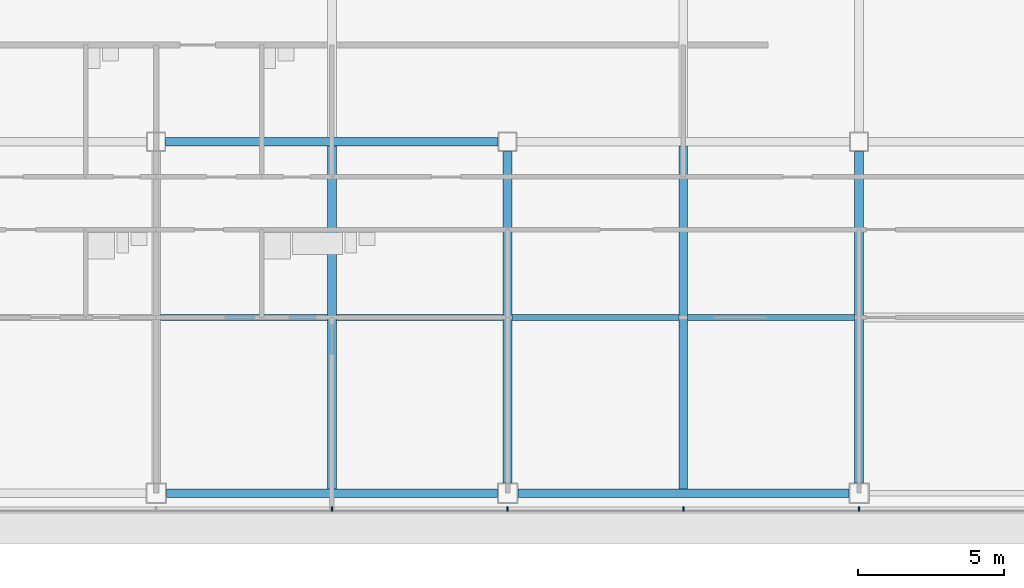
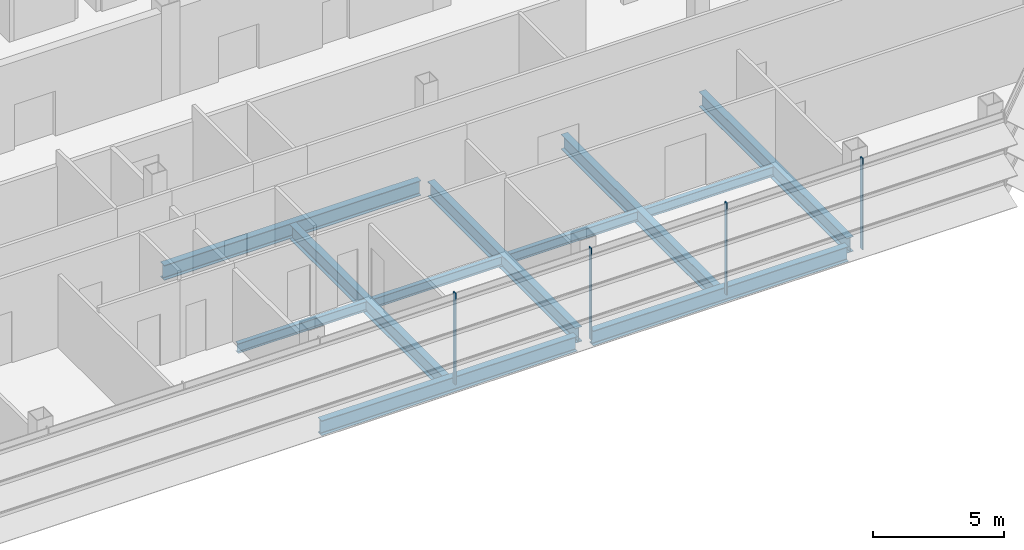
# One storey, part 8 of 26: 11 beams, 4 members, 1 element without a shape of its own.
"""IFC4 building model written with IfcOpenShell, lengths in metres."""

import ifcopenshell
import ifcopenshell.guid

model = None  # the IFC model being written
_history = None  # IfcOwnerHistory: only IFC2X3 demands one
_inside = {}  # id of a spatial element -> (the spatial element, [elements in it])
_under = {}  # id of a project, library or spatial element -> (it, [spatial elements below it])
_declared = {}  # id of a project -> (the project, [libraries it declares])
_typed = {}  # id of a type object -> (the type object, [elements of that type])
_made_of = {}  # id of a material, layer set ... -> (it, [elements and type objects made of it])


def new_model(schema):
    """Start an empty IFC model of exactly this schema.

    Asked for "IFC4X3", IfcOpenShell would pick the latest addendum, in which some entities
    have other attributes; the version numbers below select the first issue.
    IFC2X3 requires an IfcOwnerHistory on every rooted entity: one is made here for all.
    """
    global model, _history
    if schema == "IFC4X3":
        model = ifcopenshell.file(schema_version=(4, 3, 0, 0))
    else:
        model = ifcopenshell.file(schema=schema)
    _inside.clear()
    _under.clear()
    _declared.clear()
    _typed.clear()
    _made_of.clear()
    _history = None
    if model.schema == "IFC2X3":
        org = make("IfcOrganization", Name="unknown")
        user = make(
            "IfcPersonAndOrganization",
            ThePerson=make("IfcPerson", FamilyName="unknown"),
            TheOrganization=org,
        )
        app = make(
            "IfcApplication",
            ApplicationDeveloper=org,
            Version="unknown",
            ApplicationFullName="unknown",
            ApplicationIdentifier="unknown",
        )
        _history = make(
            "IfcOwnerHistory",
            OwningUser=user,
            OwningApplication=app,
            ChangeAction="ADDED",
            CreationDate=0,
        )
    return model


def make(cls, **values):
    """One entity of the class cls with the attributes given. An attribute that is None is left unset."""
    return model.create_entity(
        cls, **{name: value for name, value in values.items() if value is not None}
    )


def rooted(cls, **values):
    """An entity with a GlobalId (a new one), such as an element, a storey or a relation."""
    return make(cls, GlobalId=ifcopenshell.guid.new(), OwnerHistory=_history, **values)


def si_unit(unit_type, name, prefix=None):
    """IfcSIUnit, for example si_unit("LENGTHUNIT", "METRE", prefix="MILLI")."""
    return make("IfcSIUnit", UnitType=unit_type, Prefix=prefix, Name=name)


def assignment(units):
    """IfcUnitAssignment: the units of a project."""
    return None if units is None else make("IfcUnitAssignment", Units=units)


def point(xyz):
    """IfcCartesianPoint."""
    return None if xyz is None else make("IfcCartesianPoint", Coordinates=xyz)


def direction(xyz):
    """IfcDirection."""
    return None if xyz is None else make("IfcDirection", DirectionRatios=xyz)


def frame(location, z_axis=None, x_axis=None):
    """IfcAxis2Placement3D, a coordinate frame: its origin and axes. An axis left out is left unset."""
    return make(
        "IfcAxis2Placement3D",
        Location=point(location),
        Axis=direction(z_axis),
        RefDirection=direction(x_axis),
    )


def frame_2d(location, x_axis=None):
    """IfcAxis2Placement2D, a coordinate frame in the plane: its origin and x axis."""
    return make(
        "IfcAxis2Placement2D", Location=point(location), RefDirection=direction(x_axis)
    )


def origin():
    """The frame at (0, 0, 0) with its axes left unset."""
    return frame((0.0, 0.0, 0.0))


def origin_2d():
    """The frame at (0, 0) in the plane with its x axis left unset."""
    return frame_2d((0.0, 0.0))


def place(relative_to, where):
    """IfcLocalPlacement: puts the frame where relative to a parent placement (None: the world)."""
    return make(
        "IfcLocalPlacement", PlacementRelTo=relative_to, RelativePlacement=where
    )


def context(
    kind, dimensions, precision=None, world=None, true_north=None, identifier=None
):
    """IfcGeometricRepresentationContext, for example the 3D "Model" context."""
    return make(
        "IfcGeometricRepresentationContext",
        ContextIdentifier=identifier,
        ContextType=kind,
        CoordinateSpaceDimension=dimensions,
        Precision=precision,
        WorldCoordinateSystem=world,
        TrueNorth=true_north,
    )


def subcontext(parent, identifier, kind, view, scale=None):
    """IfcGeometricRepresentationSubContext, for example "Body" below "Model"."""
    return make(
        "IfcGeometricRepresentationSubContext",
        ContextIdentifier=identifier,
        ContextType=kind,
        ParentContext=parent,
        TargetScale=scale,
        TargetView=view,
    )


def project(units=None, contexts=None):
    """IfcProject with its units and contexts."""
    return rooted(
        "IfcProject",
        Name="project",
        RepresentationContexts=contexts,
        UnitsInContext=assignment(units),
    )


def spatial(cls, under=None, at=None, **own):
    """A site, building, storey or space (cls), placed at a placement, below another one or the project."""
    s = rooted(cls, ObjectPlacement=at, **own)
    if under is not None:
        _under.setdefault(under.id(), (under, []))[1].append(s)
    return s


def profile(cls, at=None, kind="AREA", **sizes):
    """A parametric profile (cls). Its sizes go by their IFC names, for example OverallWidth=200.0."""
    return make(cls, ProfileType=kind, Position=at, **sizes)


def rectangle(**sizes):
    """IfcRectangleProfileDef."""
    return profile("IfcRectangleProfileDef", **sizes)


def i_section(**sizes):
    """IfcIShapeProfileDef."""
    return profile("IfcIShapeProfileDef", **sizes)


def extrude(swept, where, along, depth):
    """IfcExtrudedAreaSolid: the profile swept, set in the frame where, extruded along a direction by depth."""
    return make(
        "IfcExtrudedAreaSolid",
        SweptArea=swept,
        Position=where,
        ExtrudedDirection=direction(along),
        Depth=depth,
    )


def shape(context_of_items, identifier, shape_type, items):
    """IfcShapeRepresentation: the items that make up one representation, for example the "Body"."""
    return make(
        "IfcShapeRepresentation",
        ContextOfItems=context_of_items,
        RepresentationIdentifier=identifier,
        RepresentationType=shape_type,
        Items=items,
    )


def material(Name=None, Category=None):
    """IfcMaterial."""
    return make("IfcMaterial", Name=Name, Category=Category)


def material_profile(
    of_material, cross_section, Name=None, Category=None, Priority=None
):
    """IfcMaterialProfile: a cross section and its material."""
    return make(
        "IfcMaterialProfile",
        Name=Name,
        Material=of_material,
        Profile=cross_section,
        Priority=Priority,
        Category=Category,
    )


def profile_set(profiles, Name=None, composite=None):
    """IfcMaterialProfileSet."""
    return make(
        "IfcMaterialProfileSet",
        Name=Name,
        MaterialProfiles=profiles,
        CompositeProfile=composite,
    )


def made_of(thing, what):
    """Note that an element or type object is made of a material, layer set ...; save() writes the relation."""
    if what is not None:
        _made_of.setdefault(what.id(), (what, []))[1].append(thing)
    return thing


def type_object(cls, material=None, **own):
    """A type object (cls), such as IfcWallType, which elements share."""
    return made_of(rooted(cls, **own), material)


def element(
    cls,
    number,
    at=None,
    inside=None,
    cuts=None,
    type_object=None,
    material=None,
    context=None,
    identifier="Body",
    shape_type=None,
    held_by="IfcProductDefinitionShape",
    body=None,
    shapes=None,
    **own,
):
    """One element of the class cls, such as IfcWall. Its Tag is "e" and its number.

    at: its placement. inside: the storey or other place that contains it. cuts: it is an
    opening in that element (IfcRelVoidsElement). A single representation is given by context,
    identifier, shape_type and body (its items); several are given by shapes. held_by: the class
    of the entity that holds the representations. save() writes the other relations.
    """
    e = rooted(cls, Tag="e%d" % number, ObjectPlacement=at, **own)
    if body is not None:
        shapes = [shape(context, identifier, shape_type, body)]
    if shapes is not None:
        e.Representation = make(held_by, Representations=shapes)
    if inside is not None:
        _inside.setdefault(inside.id(), (inside, []))[1].append(e)
    if cuts is not None:
        rooted(
            "IfcRelVoidsElement", RelatingBuildingElement=cuts, RelatedOpeningElement=e
        )
    if type_object is not None:
        _typed.setdefault(type_object.id(), (type_object, []))[1].append(e)
    return made_of(e, material)


def aggregate(whole, parts):
    """IfcRelAggregates: a whole, such as a stair, and the parts it consists of."""
    return rooted("IfcRelAggregates", RelatingObject=whole, RelatedObjects=parts)


def save(model, path):
    """Write the relations noted so far, then the file.

    IfcRelAggregates (storeys below a building ...), IfcRelContainedInSpatialStructure (elements
    in a storey), IfcRelDefinesByType, IfcRelAssociatesMaterial and IfcRelDeclares: one each for
    every whole, place, type object, material and project.
    """
    for whole, parts in _under.values():
        aggregate(whole, parts)
    for where, things in _inside.values():
        rooted(
            "IfcRelContainedInSpatialStructure",
            RelatedElements=things,
            RelatingStructure=where,
        )
    for kind, things in _typed.values():
        rooted("IfcRelDefinesByType", RelatedObjects=things, RelatingType=kind)
    for what, things in _made_of.values():
        rooted("IfcRelAssociatesMaterial", RelatedObjects=things, RelatingMaterial=what)
    for by, libraries in _declared.values():
        rooted("IfcRelDeclares", RelatingContext=by, RelatedDefinitions=libraries)
    model.write(path)


model = new_model("IFC4")

# Units and contexts
model_context = context("Model", 3, precision=1e-05, world=origin(), true_north=direction((0.0, 1.0)))
body_context = subcontext(model_context, "Body", "Model", "MODEL_VIEW")
ifc_project = project(units=[si_unit("LENGTHUNIT", "METRE"), si_unit("AREAUNIT", "SQUARE_METRE"), si_unit("VOLUMEUNIT", "CUBIC_METRE"), si_unit("PLANEANGLEUNIT", "RADIAN"), si_unit("MASSUNIT", "GRAM", prefix="KILO")], contexts=[model_context])

# Site, building, storey
site_placement = place(None, origin())
site = spatial("IfcSite", under=ifc_project, at=site_placement, CompositionType="ELEMENT")
building_placement = place(site_placement, origin())
building = spatial("IfcBuilding", under=site, at=building_placement, Name="Sorahane Residences", CompositionType="ELEMENT")
storey_placement = place(building_placement, frame((0.0, 0.0, 181.60009765625)))
storey = spatial("IfcBuildingStorey", under=building, at=storey_placement, Name="L42", CompositionType="ELEMENT", Elevation=181.60009765625)

# Curtain wall, members
ifc_material_1 = material(Name="Dark low-e glass and black anodised aluminium", Category="aluminium")
curtain_wall_type = type_object("IfcCurtainWallType", Name="Curtain wall CW-1 Typical unitised wall", PredefinedType="NOTDEFINED", material=ifc_material_1)
curtain_wall_placement = place(storey_placement, origin())
curtain_wall = element("IfcCurtainWall", 1, at=curtain_wall_placement, inside=storey, type_object=curtain_wall_type, Name="CW-1 curtain wall L42 S1", PredefinedType="NOTDEFINED")
ifc_material_2 = material(Name="Black anodised aluminium", Category="aluminium")
ifc_material_profile_1 = material_profile(ifc_material_2, rectangle(XDim=0.159912109375, YDim=0.050048828125, at=origin_2d()), Name="Curtain wall mullion CW-1 black anodised aluminium 50x160")
ifc_profile_set_1 = profile_set([ifc_material_profile_1], Name="Black anodised aluminium")
member_type = type_object("IfcMemberType", Name="Curtain wall mullion CW-1 black anodised aluminium 50x160", PredefinedType="MULLION", material=ifc_profile_set_1)
member_1_placement = place(storey_placement, frame((30.0, -0.5400390625, -0.18017578125), z_axis=(0.0, 0.0, 1.0), x_axis=(0.0, -1.0, 0.0)))
member_1 = element("IfcMember", 2, at=member_1_placement, type_object=member_type, Name="CW-1 mullion L42 S1.6", PredefinedType="MULLION", context=body_context, shape_type="SweptSolid", body=[
    extrude(rectangle(XDim=0.159912109375, YDim=0.050048828125, at=origin_2d()), origin(), (0.0, 0.0, 1.0), 4.280029296875),
])
member_2_placement = place(storey_placement, frame((36.0, -0.5400390625, -0.18017578125), z_axis=(0.0, 0.0, 1.0), x_axis=(0.0, -1.0, 0.0)))
member_2 = element("IfcMember", 3, at=member_2_placement, type_object=member_type, Name="CW-1 mullion L42 S1.7", PredefinedType="MULLION", context=body_context, shape_type="SweptSolid", body=[
    extrude(rectangle(XDim=0.159912109375, YDim=0.050048828125, at=origin_2d()), origin(), (0.0, 0.0, 1.0), 4.280029296875),
])
member_3_placement = place(storey_placement, frame((42.0, -0.5400390625, -0.18017578125), z_axis=(0.0, 0.0, 1.0), x_axis=(0.0, -1.0, 0.0)))
member_3 = element("IfcMember", 4, at=member_3_placement, type_object=member_type, Name="CW-1 mullion L42 S1.8", PredefinedType="MULLION", context=body_context, shape_type="SweptSolid", body=[
    extrude(rectangle(XDim=0.159912109375, YDim=0.050048828125, at=origin_2d()), origin(), (0.0, 0.0, 1.0), 4.280029296875),
])
member_4_placement = place(storey_placement, frame((48.0, -0.5400390625, -0.18017578125), z_axis=(0.0, 0.0, 1.0), x_axis=(0.0, -1.0, 0.0)))
member_4 = element("IfcMember", 5, at=member_4_placement, type_object=member_type, Name="CW-1 mullion L42 S1.9", PredefinedType="MULLION", context=body_context, shape_type="SweptSolid", body=[
    extrude(rectangle(XDim=0.159912109375, YDim=0.050048828125, at=origin_2d()), origin(), (0.0, 0.0, 1.0), 4.280029296875),
])
aggregate(curtain_wall, [member_1, member_2, member_3, member_4])

# Beams
ifc_material_3 = material(Name="Steel Q355B", Category="steel")
ifc_material_profile_2 = material_profile(ifc_material_3, i_section(OverallWidth=0.199951171875, OverallDepth=0.449951171875, WebThickness=0.009033203125, FlangeThickness=0.013916015625, FilletRadius=0.02001953125, at=origin_2d()), Name="HN 450x200x9x14")
ifc_profile_set_2 = profile_set([ifc_material_profile_2], Name="Steel Q355B")
beam_type_1 = type_object("IfcBeamType", Name="Steel floor beam HN 450x200x9x14 Q355B", PredefinedType="BEAM", material=ifc_profile_set_2)
for number, where, z_axis, x_axis, name in (
    (6, (24.14990234375, 6.0, -0.405029296875), (1.0, 0.0, 0.0), (0.0, 1.0, 0.0), "Beam L42 073"),
    (7, (30.14990234375, 6.0, -0.405029296875), (1.0, 0.0, 0.0), (0.0, 1.0, 0.0), "Beam L42 074"),
    (8, (36.14990234375, 6.0, -0.405029296875), (1.0, 0.0, 0.0), (0.0, 1.0, 0.0), "Beam L42 075"),
    (9, (42.14990234375, 6.0, -0.405029296875), (1.0, 0.0, 0.0), (0.0, 1.0, 0.0), "Beam L42 076"),
):
    element("IfcBeam", number, at=place(storey_placement, frame(where, z_axis=z_axis, x_axis=x_axis)), inside=storey, type_object=beam_type_1, Name=name, PredefinedType="BEAM", context=body_context, shape_type="SweptSolid", body=[
        extrude(i_section(OverallWidth=0.199951171875, OverallDepth=0.449951171875, WebThickness=0.009033203125, FlangeThickness=0.013916015625, FilletRadius=0.02001953125, at=origin_2d()), origin(), (0.0, 0.0, 1.0), 5.7001953125),
    ])
ifc_material_4 = material(Name="Steel Q355B", Category="steel")
ifc_material_profile_3 = material_profile(ifc_material_4, i_section(OverallWidth=0.300048828125, OverallDepth=0.699951171875, WebThickness=0.012939453125, FlangeThickness=0.02392578125, FilletRadius=0.028076171875, at=origin_2d()), Name="HN 700x300x13x24")
ifc_profile_set_3 = profile_set([ifc_material_profile_3], Name="Steel Q355B")
beam_type_2 = type_object("IfcBeamType", Name="Steel floor beam HN 700x300x13x24 Q355B", PredefinedType="BEAM", material=ifc_profile_set_3)
for number, where, z_axis, x_axis, name in (
    (10, (24.35009765625, 0.0, -0.530029296875), (1.0, 0.0, 0.0), (0.0, 1.0, 0.0), "Beam L42 002"),
    (11, (36.35009765625, 0.0, -0.530029296875), (1.0, 0.0, 0.0), (0.0, 1.0, 0.0), "Beam L42 003"),
):
    element("IfcBeam", number, at=place(storey_placement, frame(where, z_axis=z_axis, x_axis=x_axis)), inside=storey, type_object=beam_type_2, Name=name, PredefinedType="BEAM", context=body_context, shape_type="SweptSolid", body=[
        extrude(i_section(OverallWidth=0.300048828125, OverallDepth=0.699951171875, WebThickness=0.012939453125, FlangeThickness=0.02392578125, FilletRadius=0.028076171875, at=origin_2d()), origin(), (0.0, 0.0, 1.0), 11.2998046875),
    ])
beam_1_placement = place(storey_placement, frame((24.324951171875, 12.0, -0.530029296875), z_axis=(1.0, 0.0, 0.0), x_axis=(0.0, 1.0, 0.0)))
element("IfcBeam", 12, at=beam_1_placement, inside=storey, type_object=beam_type_2, Name="Beam L42 008", PredefinedType="BEAM", context=body_context, shape_type="SweptSolid", body=[
    extrude(i_section(OverallWidth=0.300048828125, OverallDepth=0.699951171875, WebThickness=0.012939453125, FlangeThickness=0.02392578125, FilletRadius=0.028076171875, at=origin_2d()), origin(), (0.0, 0.0, 1.0), 11.35009765625),
])
beam_2_placement = place(storey_placement, frame((30.0, 0.14990234375, -0.530029296875), z_axis=(0.0, 1.0, 0.0), x_axis=(-1.0, 0.0, 0.0)))
element("IfcBeam", 13, at=beam_2_placement, inside=storey, type_object=beam_type_2, Name="Beam L42 044", PredefinedType="BEAM", context=body_context, shape_type="SweptSolid", body=[
    extrude(i_section(OverallWidth=0.300048828125, OverallDepth=0.699951171875, WebThickness=0.012939453125, FlangeThickness=0.02392578125, FilletRadius=0.028076171875, at=origin_2d()), origin(), (0.0, 0.0, 1.0), 11.7001953125),
])
beam_3_placement = place(storey_placement, frame((36.0, 0.35009765625, -0.530029296875), z_axis=(0.0, 1.0, 0.0), x_axis=(-1.0, 0.0, 0.0)))
element("IfcBeam", 14, at=beam_3_placement, inside=storey, type_object=beam_type_2, Name="Beam L42 050", PredefinedType="BEAM", context=body_context, shape_type="SweptSolid", body=[
    extrude(i_section(OverallWidth=0.300048828125, OverallDepth=0.699951171875, WebThickness=0.012939453125, FlangeThickness=0.02392578125, FilletRadius=0.028076171875, at=origin_2d()), origin(), (0.0, 0.0, 1.0), 11.324951171875),
])
beam_4_placement = place(storey_placement, frame((42.0, 0.14990234375, -0.530029296875), z_axis=(0.0, 1.0, 0.0), x_axis=(-1.0, 0.0, 0.0)))
element("IfcBeam", 15, at=beam_4_placement, inside=storey, type_object=beam_type_2, Name="Beam L42 052", PredefinedType="BEAM", context=body_context, shape_type="SweptSolid", body=[
    extrude(i_section(OverallWidth=0.300048828125, OverallDepth=0.699951171875, WebThickness=0.012939453125, FlangeThickness=0.02392578125, FilletRadius=0.028076171875, at=origin_2d()), origin(), (0.0, 0.0, 1.0), 11.7001953125),
])
beam_5_placement = place(storey_placement, frame((48.0, 0.35009765625, -0.530029296875), z_axis=(0.0, 1.0, 0.0), x_axis=(-1.0, 0.0, 0.0)))
element("IfcBeam", 16, at=beam_5_placement, inside=storey, type_object=beam_type_2, Name="Beam L42 058", PredefinedType="BEAM", context=body_context, shape_type="SweptSolid", body=[
    extrude(i_section(OverallWidth=0.300048828125, OverallDepth=0.699951171875, WebThickness=0.012939453125, FlangeThickness=0.02392578125, FilletRadius=0.028076171875, at=origin_2d()), origin(), (0.0, 0.0, 1.0), 11.324951171875),
])

save(model, "model.ifc")
